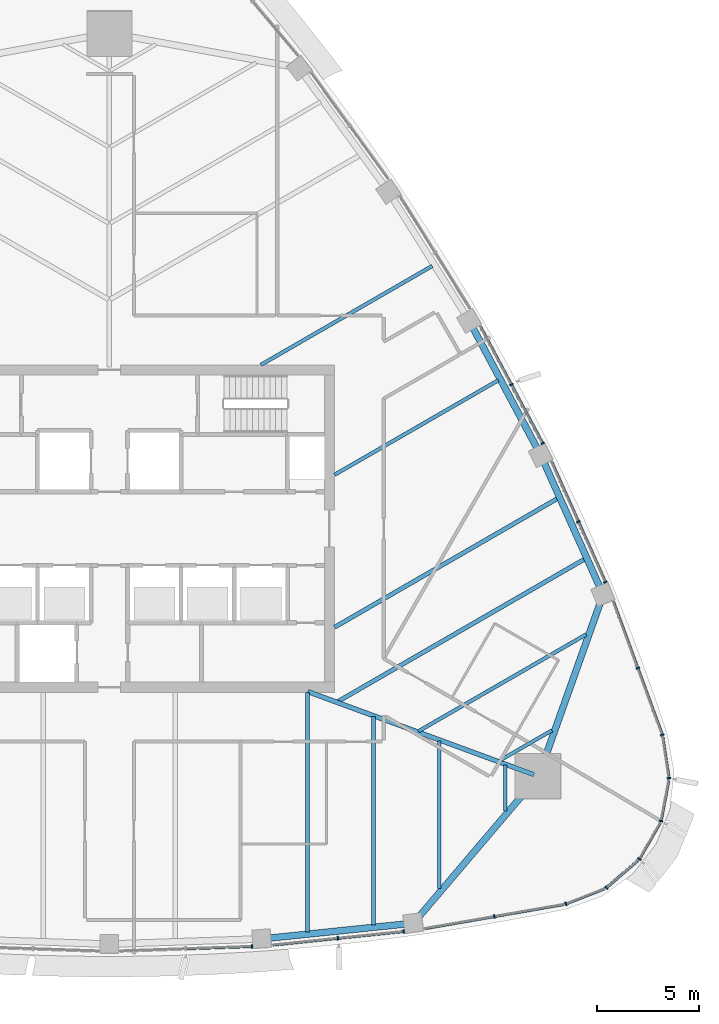
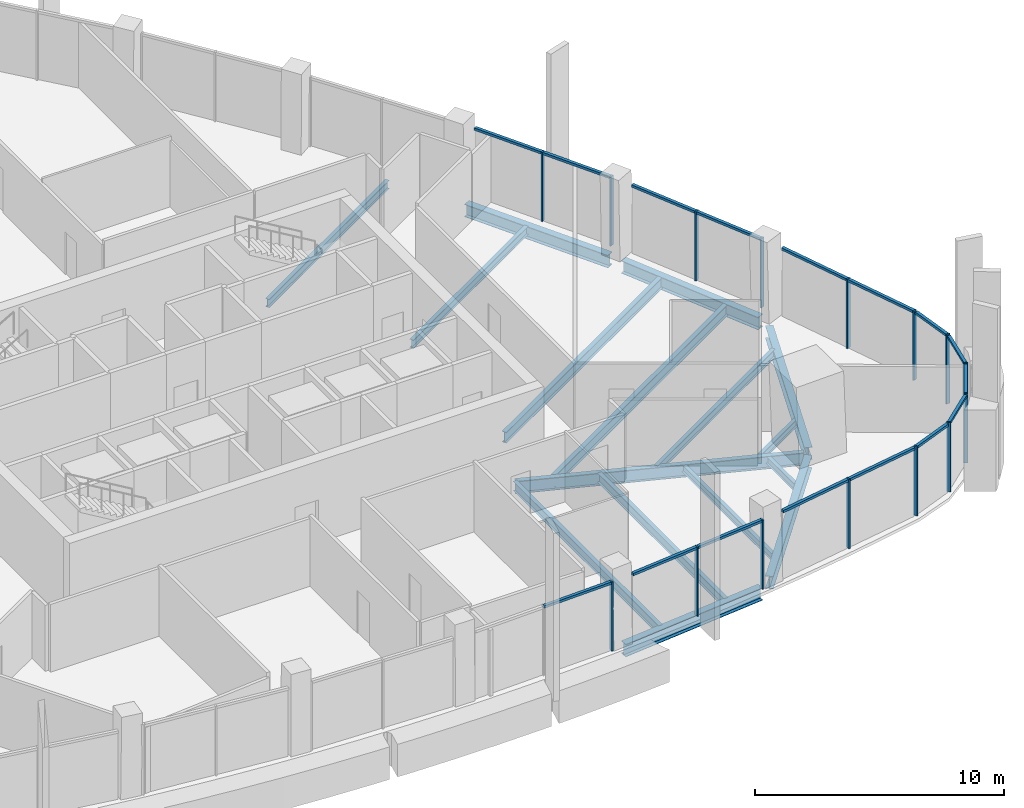
# One storey, part 4 of 18: 31 members, 16 beams, 11 elements without a shape of their own.
"""IFC4 building model written with IfcOpenShell, lengths in metres."""

from ifc_helpers import new_model, si_unit, direction, frame, origin, origin_2d, place, context, subcontext, project, spatial, rectangle, i_section, extrude, material, layer, layer_set, material_profile, profile_set, type_object, element, aggregate, save


model = new_model("IFC4")

# Units and contexts
model_context = context("Model", 3, precision=1e-05, world=origin(), true_north=direction((0.0, 1.0)))
body_context = subcontext(model_context, "Body", "Model", "MODEL_VIEW")
ifc_project = project(units=[si_unit("LENGTHUNIT", "METRE"), si_unit("AREAUNIT", "SQUARE_METRE"), si_unit("VOLUMEUNIT", "CUBIC_METRE"), si_unit("PLANEANGLEUNIT", "RADIAN"), si_unit("MASSUNIT", "GRAM", prefix="KILO")], contexts=[model_context])

# Site, building, storey
site_placement = place(None, origin())
site = spatial("IfcSite", under=ifc_project, at=site_placement, CompositionType="ELEMENT")
building_placement = place(site_placement, origin())
building = spatial("IfcBuilding", under=site, at=building_placement, Name="Sierra Prisma Convention Tower", CompositionType="ELEMENT")
storey_placement = place(building_placement, frame((0.0, 0.0, 279.0)))
storey = spatial("IfcBuildingStorey", under=building, at=storey_placement, Name="L63", CompositionType="ELEMENT", Elevation=279.0)

# Curtain wall, member
ifc_material_1 = material(Name="Aluminium and glass curtain wall", Category="aluminium")
ifc_layer = layer(ifc_material_1, 0.179931640625)
ifc_layer_set = layer_set([ifc_layer], Name="CW-1 Plain shaft curtain wall")
curtain_wall_type = type_object("IfcCurtainWallType", Name="CW-1 Plain shaft curtain wall", PredefinedType="NOTDEFINED", material=ifc_layer_set)
curtain_wall_1_placement = place(storey_placement, origin())
curtain_wall_1 = element("IfcCurtainWall", 1, at=curtain_wall_1_placement, inside=storey, type_object=curtain_wall_type, Name="CW-1 S4 L63", PredefinedType="NOTDEFINED")
ifc_material_2 = material(Name="Aluminium 6063-T6 bronze anodised", Category="aluminium")
ifc_material_profile_1 = material_profile(ifc_material_2, rectangle(XDim=0.179931640625, YDim=0.070068359375, at=origin_2d()), Name="ALU MULLION 70x180")
ifc_profile_set_1 = profile_set([ifc_material_profile_1], Name="Aluminium 6063-T6 bronze anodised")
member_type_1 = type_object("IfcMemberType", Name="CW mullion bronze", PredefinedType="MULLION", material=ifc_profile_set_1)
member_1_placement = place(storey_placement, frame((6.97021484375, -20.40478515625, 0.0), z_axis=(0.0, 0.0, 1.0), x_axis=(-0.034342175524, 0.999410133519, 0.0)))
member_1 = element("IfcMember", 2, at=member_1_placement, type_object=member_type_1, Name="CW-1 mullion S4.3", PredefinedType="MULLION", context=body_context, shape_type="SweptSolid", body=[
    extrude(rectangle(XDim=0.179931640625, YDim=0.070068359375, at=origin_2d()), origin(), (0.0, 0.0, 1.0), 3.39990234375),
])

# Curtain wall, members
curtain_wall_2_placement = place(storey_placement, origin())
curtain_wall_2 = element("IfcCurtainWall", 3, at=curtain_wall_2_placement, inside=storey, type_object=curtain_wall_type, Name="CW-1 S5 L63", PredefinedType="NOTDEFINED")
member_2_placement = place(storey_placement, frame((11.161376953125, -20.005615234375, 0.0), z_axis=(0.0, 0.0, 1.0), x_axis=(-0.102864515964, 0.994695376161, 0.0)))
member_2 = element("IfcMember", 4, at=member_2_placement, type_object=member_type_1, Name="CW-1 mullion S5.2", PredefinedType="MULLION", context=body_context, shape_type="SweptSolid", body=[
    extrude(rectangle(XDim=0.179931640625, YDim=0.070068359375, at=origin_2d()), origin(), (0.0, 0.0, 1.0), 3.39990234375),
])
member_3_placement = place(storey_placement, frame((14.373046875, -19.673583984375, 0.0), z_axis=(0.0, 0.0, 1.0), x_axis=(-0.102864515964, 0.994695376161, 0.0)))
member_3 = element("IfcMember", 5, at=member_3_placement, type_object=member_type_1, Name="CW-1 mullion S5.3", PredefinedType="MULLION", context=body_context, shape_type="SweptSolid", body=[
    extrude(rectangle(XDim=0.179931640625, YDim=0.070068359375, at=origin_2d()), origin(), (0.0, 0.0, 1.0), 3.39990234375),
])

# Curtain wall, member
curtain_wall_3_placement = place(storey_placement, origin())
curtain_wall_3 = element("IfcCurtainWall", 6, at=curtain_wall_3_placement, inside=storey, type_object=curtain_wall_type, Name="CW-1 S6 L63", PredefinedType="NOTDEFINED")
member_4_placement = place(storey_placement, frame((18.801513671875, -18.942138671875, 0.0), z_axis=(0.0, 0.0, 1.0), x_axis=(-0.170901588945, 0.985288103499, 0.0)))
member_4 = element("IfcMember", 7, at=member_4_placement, type_object=member_type_1, Name="CW-1 mullion S6.2", PredefinedType="MULLION", context=body_context, shape_type="SweptSolid", body=[
    extrude(rectangle(XDim=0.179931640625, YDim=0.070068359375, at=origin_2d()), origin(), (0.0, 0.0, 1.0), 3.39990234375),
])

curtain_wall_4_placement = place(storey_placement, origin())
curtain_wall_4 = element("IfcCurtainWall", 8, at=curtain_wall_4_placement, inside=storey, type_object=curtain_wall_type, Name="CW-1 SE1 L63", PredefinedType="NOTDEFINED")
member_5_placement = place(storey_placement, frame((22.29345703125, -18.329345703125, 0.0), z_axis=(0.0, 0.0, 1.0), x_axis=(-0.36563446102, 0.930758529864, 0.0)))
member_5 = element("IfcMember", 9, at=member_5_placement, type_object=member_type_1, Name="CW-1 mullion SE1.1", PredefinedType="MULLION", context=body_context, shape_type="SweptSolid", body=[
    extrude(rectangle(XDim=0.179931640625, YDim=0.070068359375, at=origin_2d()), origin(), (0.0, 0.0, 1.0), 3.39990234375),
])

curtain_wall_5_placement = place(storey_placement, origin())
curtain_wall_5 = element("IfcCurtainWall", 10, at=curtain_wall_5_placement, inside=storey, type_object=curtain_wall_type, Name="CW-1 SE2 L63", PredefinedType="NOTDEFINED")
member_6_placement = place(storey_placement, frame((24.275390625, -17.538330078125, 0.0), z_axis=(0.0, 0.0, 1.0), x_axis=(-0.65240687719, 0.757868898026, 0.0)))
member_6 = element("IfcMember", 11, at=member_6_placement, type_object=member_type_1, Name="CW-1 mullion SE2.1", PredefinedType="MULLION", context=body_context, shape_type="SweptSolid", body=[
    extrude(rectangle(XDim=0.179931640625, YDim=0.070068359375, at=origin_2d()), origin(), (0.0, 0.0, 1.0), 3.39990234375),
])

curtain_wall_6_placement = place(storey_placement, origin())
curtain_wall_6 = element("IfcCurtainWall", 12, at=curtain_wall_6_placement, inside=storey, type_object=curtain_wall_type, Name="CW-1 SE3 L63", PredefinedType="NOTDEFINED")
member_7_placement = place(storey_placement, frame((25.885009765625, -16.137451171875, 0.0), z_axis=(0.0, 0.0, 1.0), x_axis=(-0.866025403784, 0.5, 0.0)))
member_7 = element("IfcMember", 13, at=member_7_placement, type_object=member_type_1, Name="CW-1 mullion SE3.1", PredefinedType="MULLION", context=body_context, shape_type="SweptSolid", body=[
    extrude(rectangle(XDim=0.179931640625, YDim=0.070068359375, at=origin_2d()), origin(), (0.0, 0.0, 1.0), 3.39990234375),
])

curtain_wall_7_placement = place(storey_placement, origin())
curtain_wall_7 = element("IfcCurtainWall", 14, at=curtain_wall_7_placement, inside=storey, type_object=curtain_wall_type, Name="CW-1 SE4 L63", PredefinedType="NOTDEFINED")
member_8_placement = place(storey_placement, frame((26.94189453125, -14.28369140625, 0.0), z_axis=(0.0, 0.0, 1.0), x_axis=(-0.982537157024, 0.186066480238, 0.0)))
member_8 = element("IfcMember", 15, at=member_8_placement, type_object=member_type_1, Name="CW-1 mullion SE4.1", PredefinedType="MULLION", context=body_context, shape_type="SweptSolid", body=[
    extrude(rectangle(XDim=0.179931640625, YDim=0.070068359375, at=origin_2d()), origin(), (0.0, 0.0, 1.0), 3.39990234375),
])

curtain_wall_8_placement = place(storey_placement, origin())
curtain_wall_8 = element("IfcCurtainWall", 16, at=curtain_wall_8_placement, inside=storey, type_object=curtain_wall_type, Name="CW-1 SE5 L63", PredefinedType="NOTDEFINED")
member_9_placement = place(storey_placement, frame((27.32763671875, -12.184814453125, 0.0), z_axis=(0.0, 0.0, 1.0), x_axis=(-0.988877762161, -0.148730533189, 0.0)))
member_9 = element("IfcMember", 17, at=member_9_placement, type_object=member_type_1, Name="CW-1 mullion SE5.1", PredefinedType="MULLION", context=body_context, shape_type="SweptSolid", body=[
    extrude(rectangle(XDim=0.179931640625, YDim=0.070068359375, at=origin_2d()), origin(), (0.0, 0.0, 1.0), 3.39990234375),
])

# Curtain wall, members
curtain_wall_9_placement = place(storey_placement, origin())
curtain_wall_9 = element("IfcCurtainWall", 18, at=curtain_wall_9_placement, inside=storey, type_object=curtain_wall_type, Name="CW-1 NE1 L63", PredefinedType="NOTDEFINED")
member_10_placement = place(storey_placement, frame((27.003173828125, -10.074462890625, 0.0), z_axis=(0.0, 0.0, 1.0), x_axis=(-0.938735322149, -0.344638934176, 0.0)))
member_10 = element("IfcMember", 19, at=member_10_placement, type_object=member_type_1, Name="CW-1 mullion NE1.1", PredefinedType="MULLION", context=body_context, shape_type="SweptSolid", body=[
    extrude(rectangle(XDim=0.179931640625, YDim=0.070068359375, at=origin_2d()), origin(), (0.0, 0.0, 1.0), 3.39990234375),
])
member_11_placement = place(storey_placement, frame((25.80517578125, -6.8115234375, 0.0), z_axis=(0.0, 0.0, 1.0), x_axis=(-0.938735322149, -0.344638934176, 0.0)))
member_11 = element("IfcMember", 20, at=member_11_placement, type_object=member_type_1, Name="CW-1 mullion NE1.2", PredefinedType="MULLION", context=body_context, shape_type="SweptSolid", body=[
    extrude(rectangle(XDim=0.179931640625, YDim=0.070068359375, at=origin_2d()), origin(), (0.0, 0.0, 1.0), 3.39990234375),
])

curtain_wall_10_placement = place(storey_placement, origin())
curtain_wall_10 = element("IfcCurtainWall", 21, at=curtain_wall_10_placement, inside=storey, type_object=curtain_wall_type, Name="CW-1 NE2 L63", PredefinedType="NOTDEFINED")
member_12_placement = place(storey_placement, frame((24.224365234375, -2.61083984375, 0.0), z_axis=(0.0, 0.0, 1.0), x_axis=(-0.912863722764, -0.408264404108, 0.0)))
member_12 = element("IfcMember", 22, at=member_12_placement, type_object=member_type_1, Name="CW-1 mullion NE2.1", PredefinedType="MULLION", context=body_context, shape_type="SweptSolid", body=[
    extrude(rectangle(XDim=0.179931640625, YDim=0.070068359375, at=origin_2d()), origin(), (0.0, 0.0, 1.0), 3.39990234375),
])
member_13_placement = place(storey_placement, frame((22.906005859375, 0.336669921875, 0.0), z_axis=(0.0, 0.0, 1.0), x_axis=(-0.912863722764, -0.408264404108, 0.0)))
member_13 = element("IfcMember", 23, at=member_13_placement, type_object=member_type_1, Name="CW-1 mullion NE2.2", PredefinedType="MULLION", context=body_context, shape_type="SweptSolid", body=[
    extrude(rectangle(XDim=0.179931640625, YDim=0.070068359375, at=origin_2d()), origin(), (0.0, 0.0, 1.0), 3.39990234375),
])

curtain_wall_11_placement = place(storey_placement, origin())
curtain_wall_11 = element("IfcCurtainWall", 24, at=curtain_wall_11_placement, inside=storey, type_object=curtain_wall_type, Name="CW-1 NE3 L63", PredefinedType="NOTDEFINED")
member_14_placement = place(storey_placement, frame((21.15625, 4.165771484375, 0.0), z_axis=(0.0, 0.0, 1.0), x_axis=(-0.882685652189, -0.469963870335, 0.0)))
member_14 = element("IfcMember", 25, at=member_14_placement, type_object=member_type_1, Name="CW-1 mullion NE3.1", PredefinedType="MULLION", context=body_context, shape_type="SweptSolid", body=[
    extrude(rectangle(XDim=0.179931640625, YDim=0.070068359375, at=origin_2d()), origin(), (0.0, 0.0, 1.0), 3.39990234375),
])
member_15_placement = place(storey_placement, frame((19.63134765625, 7.030029296875, 0.0), z_axis=(0.0, 0.0, 1.0), x_axis=(-0.882685652189, -0.469963870335, 0.0)))
member_15 = element("IfcMember", 26, at=member_15_placement, type_object=member_type_1, Name="CW-1 mullion NE3.2", PredefinedType="MULLION", context=body_context, shape_type="SweptSolid", body=[
    extrude(rectangle(XDim=0.179931640625, YDim=0.070068359375, at=origin_2d()), origin(), (0.0, 0.0, 1.0), 3.39990234375),
])

# Member
ifc_material_3 = material(Name="Aluminium 6063-T6 bronze anodised", Category="aluminium")
ifc_material_profile_2 = material_profile(ifc_material_3, rectangle(XDim=0.139892578125, YDim=0.1201171875, at=origin_2d()), Name="ALU TRANSOM 120x140")
ifc_profile_set_2 = profile_set([ifc_material_profile_2], Name="Aluminium 6063-T6 bronze anodised")
member_type_2 = type_object("IfcMemberType", Name="CW transom bronze", PredefinedType="USERDEFINED", material=ifc_profile_set_2)
member_16_placement = place(storey_placement, frame((3.762451171875, -20.514892578125, 3.340087890625), z_axis=(0.999411648442, 0.034298060573, 0.0), x_axis=(-0.034298060573, 0.999411648442, 0.0)))
member_16 = element("IfcMember", 27, at=member_16_placement, type_object=member_type_2, Name="CW-1 transom S4.2", ObjectType="TRANSOM", PredefinedType="USERDEFINED", context=body_context, shape_type="SweptSolid", body=[
    extrude(rectangle(XDim=0.139892578125, YDim=0.1201171875, at=origin_2d()), origin(), (0.0, 0.0, 1.0), 3.1748046875),
])

aggregate(curtain_wall_1, [member_1, member_16])

member_17_placement = place(storey_placement, frame((7.984375, -20.334228515625, 3.340087890625), z_axis=(0.994694793991, 0.102870145361, 0.0), x_axis=(-0.102870145361, 0.994694793991, 0.0)))
member_17 = element("IfcMember", 28, at=member_17_placement, type_object=member_type_2, Name="CW-1 transom S5.1", ObjectType="TRANSOM", PredefinedType="USERDEFINED", context=body_context, shape_type="SweptSolid", body=[
    extrude(rectangle(XDim=0.139892578125, YDim=0.1201171875, at=origin_2d()), origin(), (0.0, 0.0, 1.0), 3.158935546875),
])

member_18_placement = place(storey_placement, frame((11.196044921875, -20.001953125, 3.340087890625), z_axis=(0.994703516126, 0.102785772391, 0.0), x_axis=(-0.102785772391, 0.994703516126, 0.0)))
member_18 = element("IfcMember", 29, at=member_18_placement, type_object=member_type_2, Name="CW-1 transom S5.2", ObjectType="TRANSOM", PredefinedType="USERDEFINED", context=body_context, shape_type="SweptSolid", body=[
    extrude(rectangle(XDim=0.139892578125, YDim=0.1201171875, at=origin_2d()), origin(), (0.0, 0.0, 1.0), 3.1591796875),
])

aggregate(curtain_wall_2, [member_2, member_3, member_17, member_18])

member_19_placement = place(storey_placement, frame((15.411376953125, -19.5302734375, 3.340087890625), z_axis=(0.985289518451, 0.17089343121, 0.0), x_axis=(-0.17089343121, 0.985289518451, 0.0)))
member_19 = element("IfcMember", 30, at=member_19_placement, type_object=member_type_2, Name="CW-1 transom S6.1", ObjectType="TRANSOM", PredefinedType="USERDEFINED", context=body_context, shape_type="SweptSolid", body=[
    extrude(rectangle(XDim=0.139892578125, YDim=0.1201171875, at=origin_2d()), origin(), (0.0, 0.0, 1.0), 3.40576171875),
])

member_20_placement = place(storey_placement, frame((18.836181640625, -18.936279296875, 3.340087890625), z_axis=(0.985289518451, 0.17089343121, 0.0), x_axis=(-0.17089343121, 0.985289518451, 0.0)))
member_20 = element("IfcMember", 31, at=member_20_placement, type_object=member_type_2, Name="CW-1 transom S6.2", ObjectType="TRANSOM", PredefinedType="USERDEFINED", context=body_context, shape_type="SweptSolid", body=[
    extrude(rectangle(XDim=0.139892578125, YDim=0.1201171875, at=origin_2d()), origin(), (0.0, 0.0, 1.0), 3.40576171875),
])

aggregate(curtain_wall_3, [member_4, member_19, member_20])

member_21_placement = place(storey_placement, frame((22.325927734375, -18.316650390625, 3.340087890625), z_axis=(0.930761900725, 0.365625880046, 0.0), x_axis=(-0.365625880046, 0.930761900725, 0.0)))
member_21 = element("IfcMember", 32, at=member_21_placement, type_object=member_type_2, Name="CW-1 transom SE1.1", ObjectType="TRANSOM", PredefinedType="USERDEFINED", context=body_context, shape_type="SweptSolid", body=[
    extrude(rectangle(XDim=0.139892578125, YDim=0.1201171875, at=origin_2d()), origin(), (0.0, 0.0, 1.0), 1.995849609375),
])

aggregate(curtain_wall_4, [member_5, member_21])

member_22_placement = place(storey_placement, frame((24.3017578125, -17.515625, 3.340087890625), z_axis=(0.757856154803, 0.652421680071, 0.0), x_axis=(-0.652421680071, 0.757856154803, 0.0)))
member_22 = element("IfcMember", 33, at=member_22_placement, type_object=member_type_2, Name="CW-1 transom SE2.1", ObjectType="TRANSOM", PredefinedType="USERDEFINED", context=body_context, shape_type="SweptSolid", body=[
    extrude(rectangle(XDim=0.139892578125, YDim=0.1201171875, at=origin_2d()), origin(), (0.0, 0.0, 1.0), 1.99609375),
])

aggregate(curtain_wall_5, [member_6, member_22])

member_23_placement = place(storey_placement, frame((25.902587890625, -16.107177734375, 3.340087890625), z_axis=(0.499941291603, 0.86605929644, 0.0), x_axis=(-0.86605929644, 0.499941291603, 0.0)))
member_23 = element("IfcMember", 34, at=member_23_placement, type_object=member_type_2, Name="CW-1 transom SE3.1", ObjectType="TRANSOM", PredefinedType="USERDEFINED", context=body_context, shape_type="SweptSolid", body=[
    extrude(rectangle(XDim=0.139892578125, YDim=0.1201171875, at=origin_2d()), origin(), (0.0, 0.0, 1.0), 1.995849609375),
])

aggregate(curtain_wall_6, [member_7, member_23])

member_24_placement = place(storey_placement, frame((26.948486328125, -14.249267578125, 3.340087890625), z_axis=(0.186038476451, 0.982542459785, 0.0), x_axis=(-0.982542459785, 0.186038476451, 0.0)))
member_24 = element("IfcMember", 35, at=member_24_placement, type_object=member_type_2, Name="CW-1 transom SE4.1", ObjectType="TRANSOM", PredefinedType="USERDEFINED", context=body_context, shape_type="SweptSolid", body=[
    extrude(rectangle(XDim=0.139892578125, YDim=0.1201171875, at=origin_2d()), origin(), (0.0, 0.0, 1.0), 1.99609375),
])

aggregate(curtain_wall_7, [member_8, member_24])

member_25_placement = place(storey_placement, frame((27.322509765625, -12.150146484375, 3.340087890625), z_axis=(-0.148747193421, 0.988875256263, 0.0), x_axis=(-0.988875256263, -0.148747193421, 0.0)))
member_25 = element("IfcMember", 36, at=member_25_placement, type_object=member_type_2, Name="CW-1 transom SE5.1", ObjectType="TRANSOM", PredefinedType="USERDEFINED", context=body_context, shape_type="SweptSolid", body=[
    extrude(rectangle(XDim=0.139892578125, YDim=0.1201171875, at=origin_2d()), origin(), (0.0, 0.0, 1.0), 1.995849609375),
])

aggregate(curtain_wall_8, [member_9, member_25])

member_26_placement = place(storey_placement, frame((26.9912109375, -10.04150390625, 3.340087890625), z_axis=(-0.344665352711, 0.938725622661, 0.0), x_axis=(-0.938725622661, -0.344665352711, 0.0)))
member_26 = element("IfcMember", 37, at=member_26_placement, type_object=member_type_2, Name="CW-1 transom NE1.1", ObjectType="TRANSOM", PredefinedType="USERDEFINED", context=body_context, shape_type="SweptSolid", body=[
    extrude(rectangle(XDim=0.139892578125, YDim=0.1201171875, at=origin_2d()), origin(), (0.0, 0.0, 1.0), 3.40576171875),
])

member_27_placement = place(storey_placement, frame((25.793212890625, -6.77880859375, 3.340087890625), z_axis=(-0.344642160497, 0.93873413766, 0.0), x_axis=(-0.93873413766, -0.344642160497, 0.0)))
member_27 = element("IfcMember", 38, at=member_27_placement, type_object=member_type_2, Name="CW-1 transom NE1.2", ObjectType="TRANSOM", PredefinedType="USERDEFINED", context=body_context, shape_type="SweptSolid", body=[
    extrude(rectangle(XDim=0.139892578125, YDim=0.1201171875, at=origin_2d()), origin(), (0.0, 0.0, 1.0), 3.406005859375),
])

aggregate(curtain_wall_9, [member_10, member_11, member_26, member_27])

member_28_placement = place(storey_placement, frame((24.210205078125, -2.578857421875, 3.340087890625), z_axis=(-0.408310133966, 0.912843269406, 0.0), x_axis=(-0.912843269406, -0.408310133966, 0.0)))
member_28 = element("IfcMember", 39, at=member_28_placement, type_object=member_type_2, Name="CW-1 transom NE2.1", ObjectType="TRANSOM", PredefinedType="USERDEFINED", context=body_context, shape_type="SweptSolid", body=[
    extrude(rectangle(XDim=0.139892578125, YDim=0.1201171875, at=origin_2d()), origin(), (0.0, 0.0, 1.0), 3.158935546875),
])

member_29_placement = place(storey_placement, frame((22.891845703125, 0.36865234375, 3.340087890625), z_axis=(-0.408281328935, 0.912856153204, 0.0), x_axis=(-0.912856153204, -0.408281328935, 0.0)))
member_29 = element("IfcMember", 40, at=member_29_placement, type_object=member_type_2, Name="CW-1 transom NE2.2", ObjectType="TRANSOM", PredefinedType="USERDEFINED", context=body_context, shape_type="SweptSolid", body=[
    extrude(rectangle(XDim=0.139892578125, YDim=0.1201171875, at=origin_2d()), origin(), (0.0, 0.0, 1.0), 3.1591796875),
])

aggregate(curtain_wall_10, [member_12, member_13, member_28, member_29])

member_30_placement = place(storey_placement, frame((21.139892578125, 4.19677734375, 3.340087890625), z_axis=(-0.470013380422, 0.882659290001, 0.0), x_axis=(-0.882659290001, -0.470013380422, 0.0)))
member_30 = element("IfcMember", 41, at=member_30_placement, type_object=member_type_2, Name="CW-1 transom NE3.1", ObjectType="TRANSOM", PredefinedType="USERDEFINED", context=body_context, shape_type="SweptSolid", body=[
    extrude(rectangle(XDim=0.139892578125, YDim=0.1201171875, at=origin_2d()), origin(), (0.0, 0.0, 1.0), 3.1748046875),
])

member_31_placement = place(storey_placement, frame((19.614990234375, 7.060791015625, 3.340087890625), z_axis=(-0.470013380422, 0.882659290001, 0.0), x_axis=(-0.882659290001, -0.470013380422, 0.0)))
member_31 = element("IfcMember", 42, at=member_31_placement, type_object=member_type_2, Name="CW-1 transom NE3.2", ObjectType="TRANSOM", PredefinedType="USERDEFINED", context=body_context, shape_type="SweptSolid", body=[
    extrude(rectangle(XDim=0.139892578125, YDim=0.1201171875, at=origin_2d()), origin(), (0.0, 0.0, 1.0), 3.1748046875),
])

aggregate(curtain_wall_11, [member_14, member_15, member_30, member_31])

# Beams
ifc_material_4 = material(Name="Steel ASTM A992 Gr 50", Category="steel")
ifc_material_profile_3 = material_profile(ifc_material_4, i_section(OverallWidth=0.172119140625, OverallDepth=0.35791015625, WebThickness=0.0078125, FlangeThickness=0.01318359375, at=origin_2d()), Name="W360x57")
ifc_profile_set_3 = profile_set([ifc_material_profile_3], Name="Steel ASTM A992 Gr 50")
beam_type_1 = type_object("IfcBeamType", Name="Floor joist W360x57", PredefinedType="JOIST", material=ifc_profile_set_3)
beam_1_placement = place(storey_placement, frame((16.11962890625, -17.5810546875, -0.3291015625), z_axis=(0.0, 1.0, 0.0), x_axis=(-1.0, 0.0, 0.0)))
element("IfcBeam", 43, at=beam_1_placement, inside=storey, type_object=beam_type_1, Name="Floor joist L63 S12", PredefinedType="JOIST", context=body_context, shape_type="SweptSolid", body=[
    extrude(i_section(OverallWidth=0.172119140625, OverallDepth=0.35791015625, WebThickness=0.0078125, FlangeThickness=0.01318359375, at=origin_2d()), origin(), (0.0, 0.0, 1.0), 7.210205078125),
])
beam_2_placement = place(storey_placement, frame((19.343505859375, -13.792236328125, -0.3291015625), z_axis=(0.0, 1.0, 0.0), x_axis=(-1.0, 0.0, 0.0)))
element("IfcBeam", 44, at=beam_2_placement, inside=storey, type_object=beam_type_1, Name="Floor joist L63 S13", PredefinedType="JOIST", context=body_context, shape_type="SweptSolid", body=[
    extrude(i_section(OverallWidth=0.172119140625, OverallDepth=0.35791015625, WebThickness=0.0078125, FlangeThickness=0.01318359375, at=origin_2d()), origin(), (0.0, 0.0, 1.0), 2.23681640625),
])
beam_3_placement = place(storey_placement, frame((21.6162109375, -9.855712890625, -0.3291015625), z_axis=(-0.866029956157, -0.499992114976, 0.0), x_axis=(0.499992114976, -0.866029956157, 0.0)))
element("IfcBeam", 45, at=beam_3_placement, inside=storey, type_object=beam_type_1, Name="Floor joist L63 NE01", PredefinedType="JOIST", context=body_context, shape_type="SweptSolid", body=[
    extrude(i_section(OverallWidth=0.172119140625, OverallDepth=0.35791015625, WebThickness=0.0078125, FlangeThickness=0.01318359375, at=origin_2d()), origin(), (0.0, 0.0, 1.0), 2.97802734375),
])
ifc_material_5 = material(Name="Steel ASTM A992 Gr 50", Category="steel")
ifc_material_profile_4 = material_profile(ifc_material_5, i_section(OverallWidth=0.177978515625, OverallDepth=0.406982421875, WebThickness=0.0078125, FlangeThickness=0.0126953125, at=origin_2d()), Name="W410x60")
ifc_profile_set_4 = profile_set([ifc_material_profile_4], Name="Steel ASTM A992 Gr 50")
beam_type_2 = type_object("IfcBeamType", Name="Floor joist W410x60", PredefinedType="JOIST", material=ifc_profile_set_4)
beam_4_placement = place(storey_placement, frame((23.285400390625, -5.16943359375, -0.353515625), z_axis=(-0.866017890655, -0.500013012896, 0.0), x_axis=(0.500013012896, -0.866017890655, 0.0)))
element("IfcBeam", 46, at=beam_4_placement, inside=storey, type_object=beam_type_2, Name="Floor joist L63 NE02", PredefinedType="JOIST", context=body_context, shape_type="SweptSolid", body=[
    extrude(i_section(OverallWidth=0.177978515625, OverallDepth=0.406982421875, WebThickness=0.0078125, FlangeThickness=0.0126953125, at=origin_2d()), origin(), (0.0, 0.0, 1.0), 9.455322265625),
])
beam_5_placement = place(storey_placement, frame((18.993896484375, 7.243408203125, -0.353515625), z_axis=(-0.866027463735, -0.499996432045, 0.0), x_axis=(0.499996432045, -0.866027463735, 0.0)))
element("IfcBeam", 47, at=beam_5_placement, inside=storey, type_object=beam_type_2, Name="Floor joist L63 NE06", PredefinedType="JOIST", context=body_context, shape_type="SweptSolid", body=[
    extrude(i_section(OverallWidth=0.177978515625, OverallDepth=0.406982421875, WebThickness=0.0078125, FlangeThickness=0.0126953125, at=origin_2d()), origin(), (0.0, 0.0, 1.0), 9.23046875),
])
beam_6_placement = place(storey_placement, frame((15.77001953125, 12.827392578125, -0.353515625), z_axis=(-0.866026411352, -0.499998254837, 0.0), x_axis=(0.499998254837, -0.866026411352, 0.0)))
element("IfcBeam", 48, at=beam_6_placement, inside=storey, type_object=beam_type_2, Name="Floor joist L63 NE08", PredefinedType="JOIST", context=body_context, shape_type="SweptSolid", body=[
    extrude(i_section(OverallWidth=0.177978515625, OverallDepth=0.406982421875, WebThickness=0.0078125, FlangeThickness=0.0126953125, at=origin_2d()), origin(), (0.0, 0.0, 1.0), 9.65478515625),
])
ifc_material_6 = material(Name="Steel ASTM A992 Gr 50", Category="steel")
ifc_material_profile_5 = material_profile(ifc_material_6, i_section(OverallWidth=0.18994140625, OverallDepth=0.45703125, WebThickness=0.009033203125, FlangeThickness=0.014404296875, at=origin_2d()), Name="W460x74")
ifc_profile_set_5 = profile_set([ifc_material_profile_5], Name="Steel ASTM A992 Gr 50")
beam_type_3 = type_object("IfcBeamType", Name="Floor joist W460x74", PredefinedType="JOIST", material=ifc_profile_set_5)
beam_7_placement = place(storey_placement, frame((9.671875, -19.694580078125, -0.37841796875), z_axis=(0.0, 1.0, 0.0), x_axis=(-1.0, 0.0, 0.0)))
element("IfcBeam", 49, at=beam_7_placement, inside=storey, type_object=beam_type_3, Name="Floor joist L63 S10", PredefinedType="JOIST", context=body_context, shape_type="SweptSolid", body=[
    extrude(i_section(OverallWidth=0.18994140625, OverallDepth=0.45703125, WebThickness=0.009033203125, FlangeThickness=0.014404296875, at=origin_2d()), origin(), (0.0, 0.0, 1.0), 11.694580078125),
])
beam_8_placement = place(storey_placement, frame((12.895751953125, -19.361328125, -0.37841796875), z_axis=(0.0, 1.0, 0.0), x_axis=(-1.0, 0.0, 0.0)))
element("IfcBeam", 50, at=beam_8_placement, inside=storey, type_object=beam_type_3, Name="Floor joist L63 S11", PredefinedType="JOIST", context=body_context, shape_type="SweptSolid", body=[
    extrude(i_section(OverallWidth=0.18994140625, OverallDepth=0.45703125, WebThickness=0.009033203125, FlangeThickness=0.014404296875, at=origin_2d()), origin(), (0.0, 0.0, 1.0), 10.175048828125),
])
ifc_material_7 = material(Name="Steel ASTM A992 Gr 50", Category="steel")
ifc_material_profile_6 = material_profile(ifc_material_7, i_section(OverallWidth=0.208984375, OverallDepth=0.532958984375, WebThickness=0.01025390625, FlangeThickness=0.015625, at=origin_2d()), Name="W530x92")
ifc_profile_set_6 = profile_set([ifc_material_profile_6], Name="Steel ASTM A992 Gr 50")
beam_type_4 = type_object("IfcBeamType", Name="Floor joist W530x92", PredefinedType="JOIST", material=ifc_profile_set_6)
beam_9_placement = place(storey_placement, frame((23.215087890625, -1.4873046875, -0.41650390625), z_axis=(-0.866021489901, -0.500006778983, 0.0), x_axis=(0.500006778983, -0.866021489901, 0.0)))
element("IfcBeam", 51, at=beam_9_placement, inside=storey, type_object=beam_type_4, Name="Floor joist L63 NE03", PredefinedType="JOIST", context=body_context, shape_type="SweptSolid", body=[
    extrude(i_section(OverallWidth=0.208984375, OverallDepth=0.532958984375, WebThickness=0.01025390625, FlangeThickness=0.015625, at=origin_2d()), origin(), (0.0, 0.0, 1.0), 13.924072265625),
])
beam_10_placement = place(storey_placement, frame((21.891845703125, 1.471435546875, -0.41650390625), z_axis=(-0.866019751484, -0.500009789943, 0.0), x_axis=(0.500009789943, -0.866019751484, 0.0)))
element("IfcBeam", 52, at=beam_10_placement, inside=storey, type_object=beam_type_4, Name="Floor joist L63 NE04", PredefinedType="JOIST", context=body_context, shape_type="SweptSolid", body=[
    extrude(i_section(OverallWidth=0.208984375, OverallDepth=0.532958984375, WebThickness=0.01025390625, FlangeThickness=0.015625, at=origin_2d()), origin(), (0.0, 0.0, 1.0), 12.576904296875),
])
ifc_material_8 = material(Name="Steel ASTM A992 Gr 50", Category="steel")
ifc_material_profile_7 = material_profile(ifc_material_8, i_section(OverallWidth=0.22998046875, OverallDepth=0.616943359375, WebThickness=0.01318359375, FlangeThickness=0.022216796875, at=origin_2d()), Name="W610x140")
ifc_profile_set_7 = profile_set([ifc_material_profile_7], Name="Steel ASTM A992 Gr 50")
beam_type_5 = type_object("IfcBeamType", Name="Radial girder W610x140", PredefinedType="BEAM", material=ifc_profile_set_7)
beam_11_placement = place(storey_placement, frame((20.7353515625, -12.017822265625, -0.45849609375), z_axis=(-0.938646602259, 0.344880495343, 0.0), x_axis=(-0.344880495343, -0.938646602259, 0.0)))
element("IfcBeam", 53, at=beam_11_placement, inside=storey, type_object=beam_type_5, Name="Radial girder L63 SE", PredefinedType="BEAM", context=body_context, shape_type="SweptSolid", body=[
    extrude(i_section(OverallWidth=0.22998046875, OverallDepth=0.616943359375, WebThickness=0.01318359375, FlangeThickness=0.022216796875, at=origin_2d()), origin(), (0.0, 0.0, 1.0), 11.770263671875),
])
ifc_material_9 = material(Name="Steel ASTM A992 Gr 50", Category="steel")
ifc_material_profile_8 = material_profile(ifc_material_9, i_section(OverallWidth=0.324951171875, OverallDepth=0.615966796875, WebThickness=0.013916015625, FlangeThickness=0.021484375, at=origin_2d()), Name="W610x174")
ifc_profile_set_8 = profile_set([ifc_material_profile_8], Name="Steel ASTM A992 Gr 50")
beam_type_6 = type_object("IfcBeamType", Name="Spandrel beam W610x174", PredefinedType="BEAM", material=ifc_profile_set_8)
beam_12_placement = place(storey_placement, frame((7.771728515625, -20.004638671875, -0.4580078125), z_axis=(0.994693824985, 0.102879514663, 0.0), x_axis=(-0.102879514663, 0.994693824985, 0.0)))
element("IfcBeam", 54, at=beam_12_placement, inside=storey, type_object=beam_type_6, Name="Spandrel L63-05", PredefinedType="BEAM", context=body_context, shape_type="SweptSolid", body=[
    extrude(i_section(OverallWidth=0.324951171875, OverallDepth=0.615966796875, WebThickness=0.013916015625, FlangeThickness=0.021484375, at=origin_2d()), origin(), (0.0, 0.0, 1.0), 6.787109375),
])
beam_13_placement = place(storey_placement, frame((15.164306640625, -18.904541015625, -0.4580078125), z_axis=(0.648048256814, 0.761599275761, 0.0), x_axis=(-0.761599275761, 0.648048256814, 0.0)))
element("IfcBeam", 55, at=beam_13_placement, inside=storey, type_object=beam_type_6, Name="Spandrel L63-06", PredefinedType="BEAM", context=body_context, shape_type="SweptSolid", body=[
    extrude(i_section(OverallWidth=0.324951171875, OverallDepth=0.615966796875, WebThickness=0.013916015625, FlangeThickness=0.021484375, at=origin_2d()), origin(), (0.0, 0.0, 1.0), 8.6474609375),
])
beam_14_placement = place(storey_placement, frame((21.033935546875, -11.878662109375, -0.4580078125), z_axis=(0.33551878629, 0.942033515352, 0.0), x_axis=(-0.942033515352, 0.33551878629, 0.0)))
element("IfcBeam", 56, at=beam_14_placement, inside=storey, type_object=beam_type_6, Name="Spandrel L63-07", PredefinedType="BEAM", context=body_context, shape_type="SweptSolid", body=[
    extrude(i_section(OverallWidth=0.324951171875, OverallDepth=0.615966796875, WebThickness=0.013916015625, FlangeThickness=0.021484375, at=origin_2d()), origin(), (0.0, 0.0, 1.0), 8.70263671875),
])
beam_15_placement = place(storey_placement, frame((23.981201171875, -2.923828125, -0.4580078125), z_axis=(-0.408280082914, 0.912856710495, 0.0), x_axis=(-0.912856710495, -0.408280082914, 0.0)))
element("IfcBeam", 57, at=beam_15_placement, inside=storey, type_object=beam_type_6, Name="Spandrel L63-08", PredefinedType="BEAM", context=body_context, shape_type="SweptSolid", body=[
    extrude(i_section(OverallWidth=0.324951171875, OverallDepth=0.615966796875, WebThickness=0.013916015625, FlangeThickness=0.021484375, at=origin_2d()), origin(), (0.0, 0.0, 1.0), 6.787109375),
])
beam_16_placement = place(storey_placement, frame((20.920166015625, 3.86474609375, -0.4580078125), z_axis=(-0.469945831966, 0.88269525603, 0.0), x_axis=(-0.88269525603, -0.469945831966, 0.0)))
element("IfcBeam", 58, at=beam_16_placement, inside=storey, type_object=beam_type_6, Name="Spandrel L63-09", PredefinedType="BEAM", context=body_context, shape_type="SweptSolid", body=[
    extrude(i_section(OverallWidth=0.324951171875, OverallDepth=0.615966796875, WebThickness=0.013916015625, FlangeThickness=0.021484375, at=origin_2d()), origin(), (0.0, 0.0, 1.0), 6.786865234375),
])

save(model, "model.ifc")
